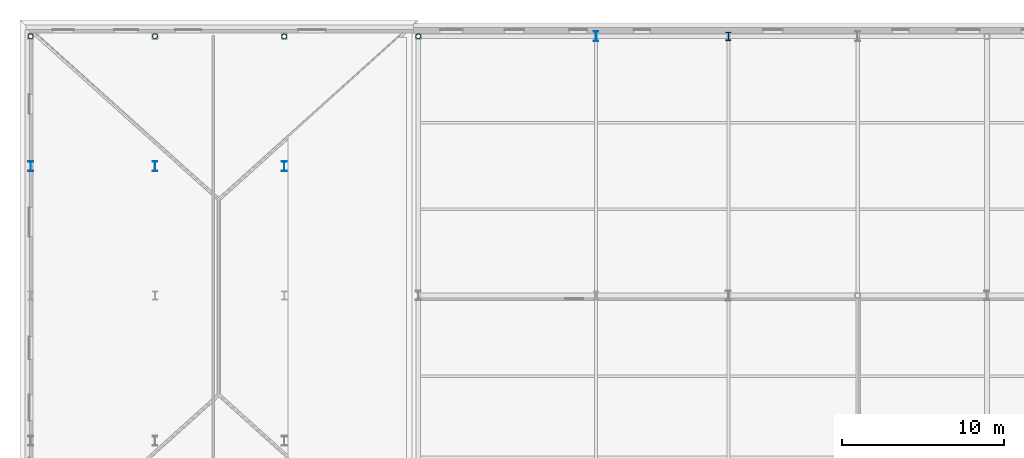
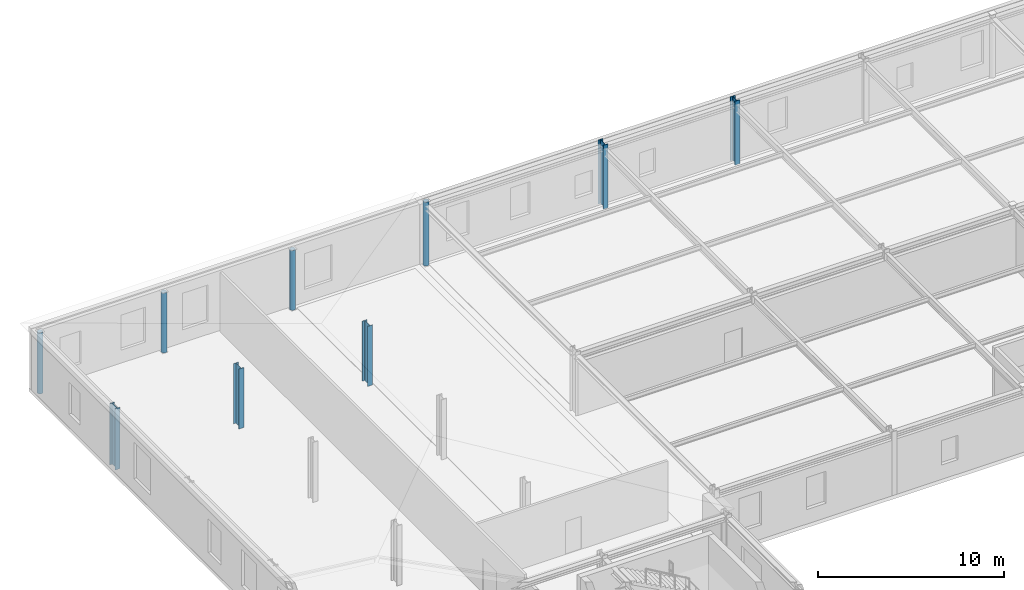
# One storey, part 10 of 148: 9 columns.
"""IFC4 building model written with IfcOpenShell, lengths in metres."""

import ifcopenshell
import ifcopenshell.guid

model = None  # the IFC model being written
_history = None  # IfcOwnerHistory: only IFC2X3 demands one
_inside = {}  # id of a spatial element -> (the spatial element, [elements in it])
_under = {}  # id of a project, library or spatial element -> (it, [spatial elements below it])
_declared = {}  # id of a project -> (the project, [libraries it declares])
_typed = {}  # id of a type object -> (the type object, [elements of that type])
_made_of = {}  # id of a material, layer set ... -> (it, [elements and type objects made of it])


def new_model(schema):
    """Start an empty IFC model of exactly this schema.

    Asked for "IFC4X3", IfcOpenShell would pick the latest addendum, in which some entities
    have other attributes; the version numbers below select the first issue.
    IFC2X3 requires an IfcOwnerHistory on every rooted entity: one is made here for all.
    """
    global model, _history
    if schema == "IFC4X3":
        model = ifcopenshell.file(schema_version=(4, 3, 0, 0))
    else:
        model = ifcopenshell.file(schema=schema)
    _inside.clear()
    _under.clear()
    _declared.clear()
    _typed.clear()
    _made_of.clear()
    _history = None
    if model.schema == "IFC2X3":
        org = make("IfcOrganization", Name="unknown")
        user = make(
            "IfcPersonAndOrganization",
            ThePerson=make("IfcPerson", FamilyName="unknown"),
            TheOrganization=org,
        )
        app = make(
            "IfcApplication",
            ApplicationDeveloper=org,
            Version="unknown",
            ApplicationFullName="unknown",
            ApplicationIdentifier="unknown",
        )
        _history = make(
            "IfcOwnerHistory",
            OwningUser=user,
            OwningApplication=app,
            ChangeAction="ADDED",
            CreationDate=0,
        )
    return model


def make(cls, **values):
    """One entity of the class cls with the attributes given. An attribute that is None is left unset."""
    return model.create_entity(
        cls, **{name: value for name, value in values.items() if value is not None}
    )


def rooted(cls, **values):
    """An entity with a GlobalId (a new one), such as an element, a storey or a relation."""
    return make(cls, GlobalId=ifcopenshell.guid.new(), OwnerHistory=_history, **values)


def si_unit(unit_type, name, prefix=None):
    """IfcSIUnit, for example si_unit("LENGTHUNIT", "METRE", prefix="MILLI")."""
    return make("IfcSIUnit", UnitType=unit_type, Prefix=prefix, Name=name)


def assignment(units):
    """IfcUnitAssignment: the units of a project."""
    return None if units is None else make("IfcUnitAssignment", Units=units)


def point(xyz):
    """IfcCartesianPoint."""
    return None if xyz is None else make("IfcCartesianPoint", Coordinates=xyz)


def direction(xyz):
    """IfcDirection."""
    return None if xyz is None else make("IfcDirection", DirectionRatios=xyz)


def frame(location, z_axis=None, x_axis=None):
    """IfcAxis2Placement3D, a coordinate frame: its origin and axes. An axis left out is left unset."""
    return make(
        "IfcAxis2Placement3D",
        Location=point(location),
        Axis=direction(z_axis),
        RefDirection=direction(x_axis),
    )


def frame_2d(location, x_axis=None):
    """IfcAxis2Placement2D, a coordinate frame in the plane: its origin and x axis."""
    return make(
        "IfcAxis2Placement2D", Location=point(location), RefDirection=direction(x_axis)
    )


def origin():
    """The frame at (0, 0, 0) with its axes left unset."""
    return frame((0.0, 0.0, 0.0))


def origin_2d():
    """The frame at (0, 0) in the plane with its x axis left unset."""
    return frame_2d((0.0, 0.0))


def place(relative_to, where):
    """IfcLocalPlacement: puts the frame where relative to a parent placement (None: the world)."""
    return make(
        "IfcLocalPlacement", PlacementRelTo=relative_to, RelativePlacement=where
    )


def context(
    kind, dimensions, precision=None, world=None, true_north=None, identifier=None
):
    """IfcGeometricRepresentationContext, for example the 3D "Model" context."""
    return make(
        "IfcGeometricRepresentationContext",
        ContextIdentifier=identifier,
        ContextType=kind,
        CoordinateSpaceDimension=dimensions,
        Precision=precision,
        WorldCoordinateSystem=world,
        TrueNorth=true_north,
    )


def subcontext(parent, identifier, kind, view, scale=None):
    """IfcGeometricRepresentationSubContext, for example "Body" below "Model"."""
    return make(
        "IfcGeometricRepresentationSubContext",
        ContextIdentifier=identifier,
        ContextType=kind,
        ParentContext=parent,
        TargetScale=scale,
        TargetView=view,
    )


def project(units=None, contexts=None):
    """IfcProject with its units and contexts."""
    return rooted(
        "IfcProject",
        Name="project",
        RepresentationContexts=contexts,
        UnitsInContext=assignment(units),
    )


def spatial(cls, under=None, at=None, **own):
    """A site, building, storey or space (cls), placed at a placement, below another one or the project."""
    s = rooted(cls, ObjectPlacement=at, **own)
    if under is not None:
        _under.setdefault(under.id(), (under, []))[1].append(s)
    return s


def profile(cls, at=None, kind="AREA", **sizes):
    """A parametric profile (cls). Its sizes go by their IFC names, for example OverallWidth=200.0."""
    return make(cls, ProfileType=kind, Position=at, **sizes)


def hollow_circle(**sizes):
    """IfcCircleHollowProfileDef."""
    return profile("IfcCircleHollowProfileDef", **sizes)


def i_section(**sizes):
    """IfcIShapeProfileDef."""
    return profile("IfcIShapeProfileDef", **sizes)


def extrude(swept, where, along, depth):
    """IfcExtrudedAreaSolid: the profile swept, set in the frame where, extruded along a direction by depth."""
    return make(
        "IfcExtrudedAreaSolid",
        SweptArea=swept,
        Position=where,
        ExtrudedDirection=direction(along),
        Depth=depth,
    )


def shape(context_of_items, identifier, shape_type, items):
    """IfcShapeRepresentation: the items that make up one representation, for example the "Body"."""
    return make(
        "IfcShapeRepresentation",
        ContextOfItems=context_of_items,
        RepresentationIdentifier=identifier,
        RepresentationType=shape_type,
        Items=items,
    )


def material(Name=None, Category=None):
    """IfcMaterial."""
    return make("IfcMaterial", Name=Name, Category=Category)


def material_profile(
    of_material, cross_section, Name=None, Category=None, Priority=None
):
    """IfcMaterialProfile: a cross section and its material."""
    return make(
        "IfcMaterialProfile",
        Name=Name,
        Material=of_material,
        Profile=cross_section,
        Priority=Priority,
        Category=Category,
    )


def profile_set(profiles, Name=None, composite=None):
    """IfcMaterialProfileSet."""
    return make(
        "IfcMaterialProfileSet",
        Name=Name,
        MaterialProfiles=profiles,
        CompositeProfile=composite,
    )


def made_of(thing, what):
    """Note that an element or type object is made of a material, layer set ...; save() writes the relation."""
    if what is not None:
        _made_of.setdefault(what.id(), (what, []))[1].append(thing)
    return thing


def type_object(cls, material=None, **own):
    """A type object (cls), such as IfcWallType, which elements share."""
    return made_of(rooted(cls, **own), material)


def element(
    cls,
    number,
    at=None,
    inside=None,
    cuts=None,
    type_object=None,
    material=None,
    context=None,
    identifier="Body",
    shape_type=None,
    held_by="IfcProductDefinitionShape",
    body=None,
    shapes=None,
    **own,
):
    """One element of the class cls, such as IfcWall. Its Tag is "e" and its number.

    at: its placement. inside: the storey or other place that contains it. cuts: it is an
    opening in that element (IfcRelVoidsElement). A single representation is given by context,
    identifier, shape_type and body (its items); several are given by shapes. held_by: the class
    of the entity that holds the representations. save() writes the other relations.
    """
    e = rooted(cls, Tag="e%d" % number, ObjectPlacement=at, **own)
    if body is not None:
        shapes = [shape(context, identifier, shape_type, body)]
    if shapes is not None:
        e.Representation = make(held_by, Representations=shapes)
    if inside is not None:
        _inside.setdefault(inside.id(), (inside, []))[1].append(e)
    if cuts is not None:
        rooted(
            "IfcRelVoidsElement", RelatingBuildingElement=cuts, RelatedOpeningElement=e
        )
    if type_object is not None:
        _typed.setdefault(type_object.id(), (type_object, []))[1].append(e)
    return made_of(e, material)


def aggregate(whole, parts):
    """IfcRelAggregates: a whole, such as a stair, and the parts it consists of."""
    return rooted("IfcRelAggregates", RelatingObject=whole, RelatedObjects=parts)


def save(model, path):
    """Write the relations noted so far, then the file.

    IfcRelAggregates (storeys below a building ...), IfcRelContainedInSpatialStructure (elements
    in a storey), IfcRelDefinesByType, IfcRelAssociatesMaterial and IfcRelDeclares: one each for
    every whole, place, type object, material and project.
    """
    for whole, parts in _under.values():
        aggregate(whole, parts)
    for where, things in _inside.values():
        rooted(
            "IfcRelContainedInSpatialStructure",
            RelatedElements=things,
            RelatingStructure=where,
        )
    for kind, things in _typed.values():
        rooted("IfcRelDefinesByType", RelatedObjects=things, RelatingType=kind)
    for what, things in _made_of.values():
        rooted("IfcRelAssociatesMaterial", RelatedObjects=things, RelatingMaterial=what)
    for by, libraries in _declared.values():
        rooted("IfcRelDeclares", RelatingContext=by, RelatedDefinitions=libraries)
    model.write(path)


model = new_model("IFC4")

# Units and contexts
model_context = context("Model", 3, precision=1e-05, world=origin(), true_north=direction((0.0, 1.0)))
body_context = subcontext(model_context, "Body", "Model", "MODEL_VIEW")
ifc_project = project(units=[si_unit("LENGTHUNIT", "METRE"), si_unit("AREAUNIT", "SQUARE_METRE"), si_unit("VOLUMEUNIT", "CUBIC_METRE"), si_unit("PLANEANGLEUNIT", "RADIAN"), si_unit("MASSUNIT", "GRAM", prefix="KILO"), si_unit("THERMODYNAMICTEMPERATUREUNIT", "KELVIN"), si_unit("POWERUNIT", "WATT")], contexts=[model_context])

# Site, building, storey
site_placement = place(None, origin())
site = spatial("IfcSite", under=ifc_project, at=site_placement, CompositionType="ELEMENT")
building_placement = place(site_placement, origin())
building = spatial("IfcBuilding", under=site, at=building_placement, Name="Solvatero Civic Police Headquarters", CompositionType="ELEMENT")
storey_placement = place(building_placement, frame((0.0, 0.0, 5.10009765625)))
storey = spatial("IfcBuildingStorey", under=building, at=storey_placement, Name="L01", CompositionType="ELEMENT", Elevation=5.10009765625)

# Columns
ifc_material = material(Name="Steel S355", Category="steel")
ifc_material_profile_1 = material_profile(ifc_material, hollow_circle(Radius=0.161865234375, WallThickness=0.01611328125, at=origin_2d()), Name="CHS 323.9x16.0")
ifc_profile_set_1 = profile_set([ifc_material_profile_1], Name="Steel S355")
column_type_1 = type_object("IfcColumnType", Name="COL-ST-CHS324", PredefinedType="COLUMN", material=ifc_profile_set_1)
column_1_placement = place(storey_placement, frame((28.800048828125, 116.550048828125, 0.0), z_axis=(0.0, 0.0, 1.0), x_axis=(1.0, 0.0, 0.0)))
element("IfcColumn", 1, at=column_1_placement, inside=storey, type_object=column_type_1, Name="Column V7-X1Y3 L01", PredefinedType="COLUMN", context=body_context, shape_type="SweptSolid", body=[
    extrude(hollow_circle(Radius=0.161865234375, WallThickness=0.01611328125, at=origin_2d()), origin(), (0.0, 0.0, 1.0), 4.199951171875),
])
column_2_placement = place(storey_placement, frame((4.800048828125, 116.550048828125, 0.0), z_axis=(0.0, 0.0, 1.0), x_axis=(1.0, 0.0, 0.0)))
element("IfcColumn", 2, at=column_2_placement, inside=storey, type_object=column_type_1, Name="Column V7NW-X1Y4 L01", PredefinedType="COLUMN", context=body_context, shape_type="SweptSolid", body=[
    extrude(hollow_circle(Radius=0.161865234375, WallThickness=0.01611328125, at=origin_2d()), origin(), (0.0, 0.0, 1.0), 4.02001953125),
])
for number, where, z_axis, x_axis, name in (
    (3, (12.5, 116.550048828125, 0.0), (0.0, 0.0, 1.0), (1.0, 0.0, 0.0), "Column V7NW-X2Y4 L01"),
    (4, (20.5, 116.550048828125, 0.0), (0.0, 0.0, 1.0), (1.0, 0.0, 0.0), "Column V7NW-X3Y4 L01"),
):
    element("IfcColumn", number, at=place(storey_placement, frame(where, z_axis=z_axis, x_axis=x_axis)), inside=storey, type_object=column_type_1, Name=name, PredefinedType="COLUMN", context=body_context, shape_type="SweptSolid", body=[
        extrude(hollow_circle(Radius=0.161865234375, WallThickness=0.01611328125, at=origin_2d()), origin(), (0.0, 0.0, 1.0), 3.93994140625),
    ])
ifc_material_profile_2 = material_profile(ifc_material, i_section(OverallWidth=0.300048828125, OverallDepth=0.60009765625, WebThickness=0.015380859375, FlangeThickness=0.030029296875, FilletRadius=0.027099609375, at=origin_2d()), Name="HEB 600")
ifc_profile_set_2 = profile_set([ifc_material_profile_2], Name="Steel S355")
column_type_2 = type_object("IfcColumnType", Name="COL-ST-HEB600", PredefinedType="COLUMN", material=ifc_profile_set_2)
column_3_placement = place(storey_placement, frame((39.800048828125, 116.550048828125, 0.0), z_axis=(0.0, 0.0, 1.0), x_axis=(1.0, 0.0, 0.0)))
element("IfcColumn", 5, at=column_3_placement, inside=storey, type_object=column_type_2, Name="Column V7-X2Y3 L01", PredefinedType="COLUMN", context=body_context, shape_type="SweptSolid", body=[
    extrude(i_section(OverallWidth=0.300048828125, OverallDepth=0.60009765625, WebThickness=0.015380859375, FlangeThickness=0.030029296875, FilletRadius=0.027099609375, at=origin_2d()), origin(), (0.0, 0.0, 1.0), 4.199951171875),
])
column_4_placement = place(storey_placement, frame((4.800048828125, 108.5, 0.0), z_axis=(0.0, 0.0, 1.0), x_axis=(1.0, 0.0, 0.0)))
element("IfcColumn", 6, at=column_4_placement, inside=storey, type_object=column_type_2, Name="Column V7NW-X1Y3 L01", PredefinedType="COLUMN", context=body_context, shape_type="SweptSolid", body=[
    extrude(i_section(OverallWidth=0.300048828125, OverallDepth=0.60009765625, WebThickness=0.015380859375, FlangeThickness=0.030029296875, FilletRadius=0.027099609375, at=origin_2d()), origin(), (0.0, 0.0, 1.0), 4.02001953125),
])
for number, where, z_axis, x_axis, name in (
    (7, (12.5, 108.5, 0.0), (0.0, 0.0, 1.0), (1.0, 0.0, 0.0), "Column V7NW-X2Y3 L01"),
    (8, (20.5, 108.5, 0.0), (0.0, 0.0, 1.0), (1.0, 0.0, 0.0), "Column V7NW-X3Y3 L01"),
):
    element("IfcColumn", number, at=place(storey_placement, frame(where, z_axis=z_axis, x_axis=x_axis)), inside=storey, type_object=column_type_2, Name=name, PredefinedType="COLUMN", context=body_context, shape_type="SweptSolid", body=[
        extrude(i_section(OverallWidth=0.300048828125, OverallDepth=0.60009765625, WebThickness=0.015380859375, FlangeThickness=0.030029296875, FilletRadius=0.027099609375, at=origin_2d()), origin(), (0.0, 0.0, 1.0), 3.93994140625),
    ])
ifc_material_profile_3 = material_profile(ifc_material, i_section(OverallWidth=0.305908203125, OverallDepth=0.52392578125, WebThickness=0.02099609375, FlangeThickness=0.0400390625, FilletRadius=0.027099609375, at=origin_2d()), Name="HEM 500")
ifc_profile_set_3 = profile_set([ifc_material_profile_3], Name="Steel S355")
column_type_3 = type_object("IfcColumnType", Name="COL-ST-HEM500", PredefinedType="COLUMN", material=ifc_profile_set_3)
column_5_placement = place(storey_placement, frame((48.0, 116.550048828125, 0.0), z_axis=(0.0, 0.0, 1.0), x_axis=(1.0, 0.0, 0.0)))
element("IfcColumn", 9, at=column_5_placement, inside=storey, type_object=column_type_3, Name="Column V7-X3Y3 L01", PredefinedType="COLUMN", context=body_context, shape_type="SweptSolid", body=[
    extrude(i_section(OverallWidth=0.305908203125, OverallDepth=0.52392578125, WebThickness=0.02099609375, FlangeThickness=0.0400390625, FilletRadius=0.027099609375, at=origin_2d()), origin(), (0.0, 0.0, 1.0), 4.199951171875),
])

save(model, "model.ifc")
